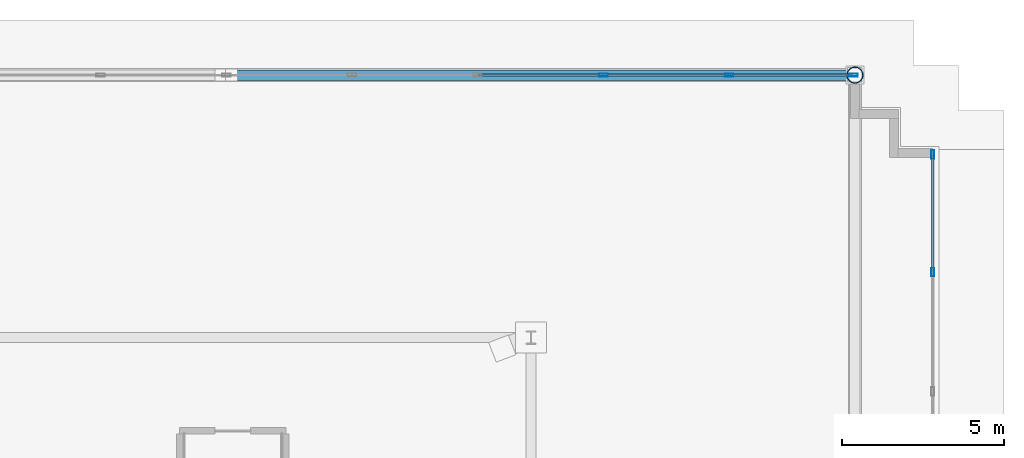
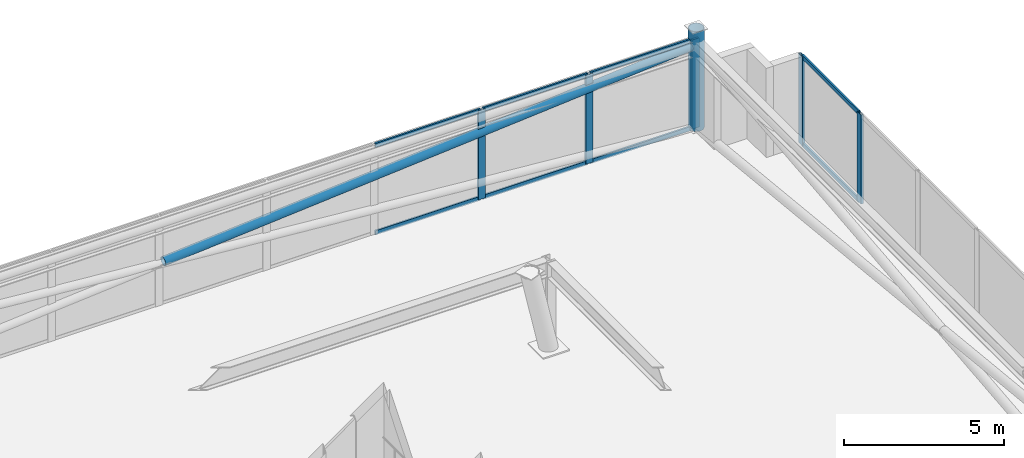
# One storey, part 18 of 23: 15 members, 2 elements without a shape of their own.
"""IFC4 building model written with IfcOpenShell, lengths in metres."""

from ifc_helpers import new_model, si_unit, direction, frame, origin, origin_2d, place, context, subcontext, project, spatial, hollow_rectangle, hollow_circle, extrude, material, layer, layer_set, material_profile, profile_set, type_object, element, aggregate, save


model = new_model("IFC4")

# Units and contexts
model_context = context("Model", 3, precision=1e-05, world=origin(), true_north=direction((0.0, 1.0)))
body_context = subcontext(model_context, "Body", "Model", "MODEL_VIEW")
ifc_project = project(units=[si_unit("LENGTHUNIT", "METRE"), si_unit("AREAUNIT", "SQUARE_METRE"), si_unit("VOLUMEUNIT", "CUBIC_METRE"), si_unit("PLANEANGLEUNIT", "RADIAN"), si_unit("MASSUNIT", "GRAM", prefix="KILO")], contexts=[model_context])

# Site, building, storey
site_placement = place(None, origin())
site = spatial("IfcSite", under=ifc_project, at=site_placement, CompositionType="ELEMENT")
building_placement = place(site_placement, origin())
building = spatial("IfcBuilding", under=site, at=building_placement, Name="Qobustan Lattice House", CompositionType="ELEMENT")
storey_placement = place(building_placement, frame((0.0, 0.0, 270.199951171875)))
storey = spatial("IfcBuildingStorey", under=building, at=storey_placement, Name="L76", CompositionType="ELEMENT", Elevation=270.199951171875)

# Curtain wall, members
ifc_material_1 = material(Name="Anodised aluminium and low-E glazing", Category="aluminium")
ifc_layer = layer(ifc_material_1, 0.219970703125)
ifc_layer_set = layer_set([ifc_layer], Name="Anodised aluminium and low-E glazing")
curtain_wall_type = type_object("IfcCurtainWallType", Name="CW-CRN-01", PredefinedType="USERDEFINED", material=ifc_layer_set)
curtain_wall_1_placement = place(storey_placement, origin())
curtain_wall_1 = element("IfcCurtainWall", 1, at=curtain_wall_1_placement, inside=storey, type_object=curtain_wall_type, Name="L76 glass-point crown faceted curtain wall 10", ObjectType="CURTAIN WALL", PredefinedType="USERDEFINED")
ifc_material_2 = material(Name="Anodised aluminium EN AW-6063 T6", Category="aluminium")
ifc_material_profile_1 = material_profile(ifc_material_2, hollow_rectangle(XDim=0.090087890625, YDim=0.260009765625, WallThickness=0.006103515625, at=origin_2d()), Name="CWM-CROWN-260x90")
ifc_profile_set_1 = profile_set([ifc_material_profile_1], Name="Anodised aluminium EN AW-6063 T6")
member_type_1 = type_object("IfcMemberType", Name="CWM-CRN-260", PredefinedType="MULLION", material=ifc_profile_set_1)
member_1_placement = place(storey_placement, frame((11.43994140625, 13.699951171875, 0.0), z_axis=(0.0, 0.0, 1.0), x_axis=(0.0, 1.0, 0.0)))
member_1 = element("IfcMember", 2, at=member_1_placement, type_object=member_type_1, Name="CW-CR mullion 9", PredefinedType="MULLION", context=body_context, shape_type="SweptSolid", body=[
    extrude(hollow_rectangle(XDim=0.090087890625, YDim=0.260009765625, WallThickness=0.006103515625, at=origin_2d()), origin(), (0.0, 0.0, 1.0), 3.400146484375),
])
member_2_placement = place(storey_placement, frame((15.320068359375, 13.699951171875, 0.0), z_axis=(0.0, 0.0, 1.0), x_axis=(0.0, 1.0, 0.0)))
member_2 = element("IfcMember", 3, at=member_2_placement, type_object=member_type_1, Name="CW-CR mullion 10", PredefinedType="MULLION", context=body_context, shape_type="SweptSolid", body=[
    extrude(hollow_rectangle(XDim=0.090087890625, YDim=0.260009765625, WallThickness=0.006103515625, at=origin_2d()), origin(), (0.0, 0.0, 1.0), 3.400146484375),
])
member_3_placement = place(storey_placement, frame((19.155029296875, 13.699951171875, 0.0), z_axis=(0.0, 0.0, 1.0), x_axis=(0.0, 1.0, 0.0)))
member_3 = element("IfcMember", 4, at=member_3_placement, type_object=member_type_1, Name="CW-CR mullion 11", PredefinedType="MULLION", context=body_context, shape_type="SweptSolid", body=[
    extrude(hollow_rectangle(XDim=0.090087890625, YDim=0.260009765625, WallThickness=0.006103515625, at=origin_2d()), origin(), (0.0, 0.0, 1.0), 3.400146484375),
])

curtain_wall_2_placement = place(storey_placement, origin())
curtain_wall_2 = element("IfcCurtainWall", 5, at=curtain_wall_2_placement, inside=storey, type_object=curtain_wall_type, Name="L76 glass-point crown faceted curtain wall 15", ObjectType="CURTAIN WALL", PredefinedType="USERDEFINED")
member_4_placement = place(storey_placement, frame((21.60009765625, 11.2548828125, 0.0), z_axis=(0.0, 0.0, 1.0), x_axis=(1.0, 0.0, 0.0)))
member_4 = element("IfcMember", 6, at=member_4_placement, type_object=member_type_1, Name="CW-CR mullion 1", PredefinedType="MULLION", context=body_context, shape_type="SweptSolid", body=[
    extrude(hollow_rectangle(XDim=0.090087890625, YDim=0.260009765625, WallThickness=0.006103515625, at=origin_2d()), origin(), (0.0, 0.0, 1.0), 3.400146484375),
])
member_5_placement = place(storey_placement, frame((21.60009765625, 7.6142578125, 0.0), z_axis=(0.0, 0.0, 1.0), x_axis=(1.0, 0.0, 0.0)))
member_5 = element("IfcMember", 7, at=member_5_placement, type_object=member_type_1, Name="CW-CR mullion 2", PredefinedType="MULLION", context=body_context, shape_type="SweptSolid", body=[
    extrude(hollow_rectangle(XDim=0.090087890625, YDim=0.260009765625, WallThickness=0.006103515625, at=origin_2d()), origin(), (0.0, 0.0, 1.0), 3.400146484375),
])

# Member
ifc_material_3 = material(Name="Anodised aluminium EN AW-6063 T6", Category="aluminium")
ifc_material_profile_2 = material_profile(ifc_material_3, hollow_rectangle(XDim=0.06494140625, YDim=0.159912109375, WallThickness=0.00390625, at=origin_2d()), Name="CWT-160x65")
ifc_profile_set_2 = profile_set([ifc_material_profile_2], Name="Anodised aluminium EN AW-6063 T6")
member_type_2 = type_object("IfcMemberType", Name="CWT-HOR-160", PredefinedType="USERDEFINED", material=ifc_profile_set_2)
member_6_placement = place(storey_placement, frame((7.60498046875, 13.699951171875, 0.032470703125), z_axis=(1.0, 0.0, 0.0), x_axis=(0.0, 1.0, 0.0)))
member_6 = element("IfcMember", 8, at=member_6_placement, type_object=member_type_2, Name="CW-CR transom 8.1", ObjectType="TRANSOM", PredefinedType="USERDEFINED", context=body_context, shape_type="SweptSolid", body=[
    extrude(hollow_rectangle(XDim=0.06494140625, YDim=0.159912109375, WallThickness=0.00390625, at=origin_2d()), origin(), (0.0, 0.0, 1.0), 3.7900390625),
])

member_7_placement = place(storey_placement, frame((7.60498046875, 13.699951171875, 3.367431640625), z_axis=(1.0, 0.0, 0.0), x_axis=(0.0, 1.0, 0.0)))
member_7 = element("IfcMember", 9, at=member_7_placement, type_object=member_type_2, Name="CW-CR transom 8.2", ObjectType="TRANSOM", PredefinedType="USERDEFINED", context=body_context, shape_type="SweptSolid", body=[
    extrude(hollow_rectangle(XDim=0.06494140625, YDim=0.159912109375, WallThickness=0.00390625, at=origin_2d()), origin(), (0.0, 0.0, 1.0), 3.7900390625),
])

member_8_placement = place(storey_placement, frame((11.485107421875, 13.699951171875, 0.032470703125), z_axis=(1.0, 0.0, 0.0), x_axis=(0.0, 1.0, 0.0)))
member_8 = element("IfcMember", 10, at=member_8_placement, type_object=member_type_2, Name="CW-CR transom 9.1", ObjectType="TRANSOM", PredefinedType="USERDEFINED", context=body_context, shape_type="SweptSolid", body=[
    extrude(hollow_rectangle(XDim=0.06494140625, YDim=0.159912109375, WallThickness=0.00390625, at=origin_2d()), origin(), (0.0, 0.0, 1.0), 3.789794921875),
])

member_9_placement = place(storey_placement, frame((11.485107421875, 13.699951171875, 3.367431640625), z_axis=(1.0, 0.0, 0.0), x_axis=(0.0, 1.0, 0.0)))
member_9 = element("IfcMember", 11, at=member_9_placement, type_object=member_type_2, Name="CW-CR transom 9.2", ObjectType="TRANSOM", PredefinedType="USERDEFINED", context=body_context, shape_type="SweptSolid", body=[
    extrude(hollow_rectangle(XDim=0.06494140625, YDim=0.159912109375, WallThickness=0.00390625, at=origin_2d()), origin(), (0.0, 0.0, 1.0), 3.789794921875),
])

member_10_placement = place(storey_placement, frame((15.364990234375, 13.699951171875, 0.032470703125), z_axis=(1.0, 0.0, 0.0), x_axis=(0.0, 1.0, 0.0)))
member_10 = element("IfcMember", 12, at=member_10_placement, type_object=member_type_2, Name="CW-CR transom 10.1", ObjectType="TRANSOM", PredefinedType="USERDEFINED", context=body_context, shape_type="SweptSolid", body=[
    extrude(hollow_rectangle(XDim=0.06494140625, YDim=0.159912109375, WallThickness=0.00390625, at=origin_2d()), origin(), (0.0, 0.0, 1.0), 3.7451171875),
])

member_11_placement = place(storey_placement, frame((15.364990234375, 13.699951171875, 3.367431640625), z_axis=(1.0, 0.0, 0.0), x_axis=(0.0, 1.0, 0.0)))
member_11 = element("IfcMember", 13, at=member_11_placement, type_object=member_type_2, Name="CW-CR transom 10.2", ObjectType="TRANSOM", PredefinedType="USERDEFINED", context=body_context, shape_type="SweptSolid", body=[
    extrude(hollow_rectangle(XDim=0.06494140625, YDim=0.159912109375, WallThickness=0.00390625, at=origin_2d()), origin(), (0.0, 0.0, 1.0), 3.7451171875),
])

aggregate(curtain_wall_1, [member_1, member_2, member_3, member_6, member_7, member_8, member_9, member_10, member_11])

member_12_placement = place(storey_placement, frame((21.60009765625, 11.2099609375, 0.032470703125), z_axis=(0.0, -1.0, 0.0), x_axis=(1.0, 0.0, 0.0)))
member_12 = element("IfcMember", 14, at=member_12_placement, type_object=member_type_2, Name="CW-CR transom 1.1", ObjectType="TRANSOM", PredefinedType="USERDEFINED", context=body_context, shape_type="SweptSolid", body=[
    extrude(hollow_rectangle(XDim=0.06494140625, YDim=0.159912109375, WallThickness=0.00390625, at=origin_2d()), origin(), (0.0, 0.0, 1.0), 3.55078125),
])

member_13_placement = place(storey_placement, frame((21.60009765625, 11.2099609375, 3.367431640625), z_axis=(0.0, -1.0, 0.0), x_axis=(1.0, 0.0, 0.0)))
member_13 = element("IfcMember", 15, at=member_13_placement, type_object=member_type_2, Name="CW-CR transom 1.2", ObjectType="TRANSOM", PredefinedType="USERDEFINED", context=body_context, shape_type="SweptSolid", body=[
    extrude(hollow_rectangle(XDim=0.06494140625, YDim=0.159912109375, WallThickness=0.00390625, at=origin_2d()), origin(), (0.0, 0.0, 1.0), 3.55078125),
])

aggregate(curtain_wall_2, [member_4, member_5, member_12, member_13])

# Members
ifc_material_4 = material(Name="Steel S355", Category="steel")
ifc_material_profile_3 = material_profile(ifc_material_4, hollow_circle(Radius=0.161865234375, WallThickness=0.012451171875, at=origin_2d()), Name="CHS323.9x12.5")
ifc_profile_set_3 = profile_set([ifc_material_profile_3], Name="Steel S355")
member_type_3 = type_object("IfcMemberType", Name="MEM-CBR-CHS324", PredefinedType="BRACE", material=ifc_profile_set_3)
member_14_placement = place(storey_placement, frame((-0.03271484375, 13.699951171875, 1.611328125), z_axis=(0.996690538757, 0.0, 0.081289420916), x_axis=(0.0, 1.0, 0.0)))
element("IfcMember", 16, at=member_14_placement, inside=storey, type_object=member_type_3, Name="L76 crown diagrid split brace 3B upper", PredefinedType="BRACE", context=body_context, shape_type="SweptSolid", body=[
    extrude(hollow_circle(Radius=0.161865234375, WallThickness=0.012451171875, at=origin_2d()), origin(), (0.0, 0.0, 1.0), 19.296630859375),
])
ifc_material_5 = material(Name="Steel S355", Category="steel")
ifc_material_profile_4 = material_profile(ifc_material_5, hollow_circle(Radius=0.25390625, WallThickness=0.02001953125, at=origin_2d()), Name="CHS508x20")
ifc_profile_set_4 = profile_set([ifc_material_profile_4], Name="Steel S355")
member_type_4 = type_object("IfcMemberType", Name="MEM-STR-CHS508", PredefinedType="STRUT", material=ifc_profile_set_4)
member_15_placement = place(storey_placement, frame((19.199951171875, 13.699951171875, 0.0), z_axis=(0.0, 0.0, 1.0), x_axis=(1.0, 0.0, 0.0)))
element("IfcMember", 17, at=member_15_placement, inside=storey, type_object=member_type_4, Name="L76 crown corner raking strut 3", PredefinedType="STRUT", context=body_context, shape_type="SweptSolid", body=[
    extrude(hollow_circle(Radius=0.25390625, WallThickness=0.02001953125, at=origin_2d()), origin(), (0.0, 0.0, 1.0), 3.800048828125),
])

save(model, "model.ifc")
